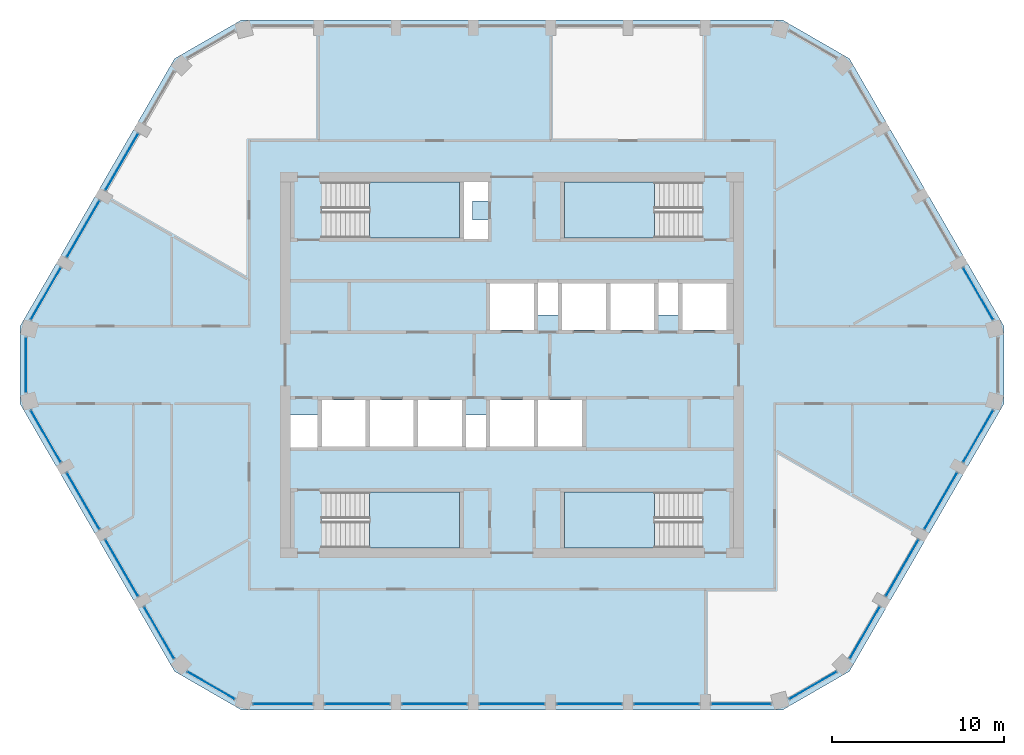
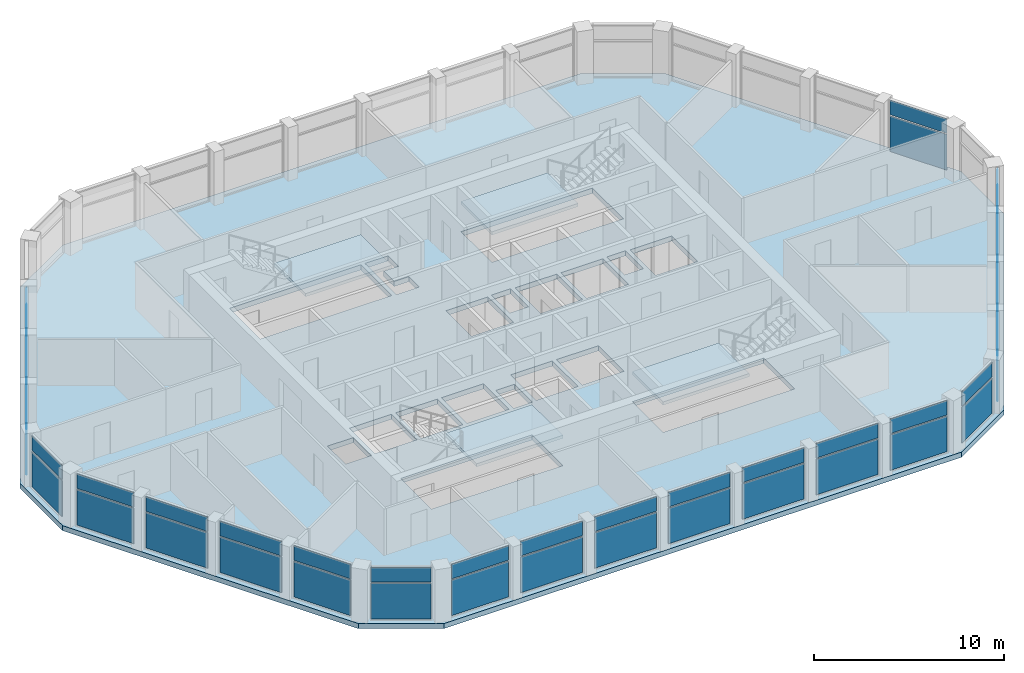
# One storey, part 7 of 15: 44 plates, 5 slabs, 26 elements without a shape of their own.
"""IFC4 building model written with IfcOpenShell, lengths in metres."""

from ifc_helpers import new_model, si_unit, direction, frame, origin, origin_2d, place, context, subcontext, project, spatial, polyline, rectangle, outline, extrude, material, layer, layer_set, type_object, element, aggregate, save


model = new_model("IFC4")

# Units and contexts
model_context = context("Model", 3, precision=1e-05, world=origin(), true_north=direction((0.0, 1.0)))
body_context = subcontext(model_context, "Body", "Model", "MODEL_VIEW")
ifc_project = project(units=[si_unit("LENGTHUNIT", "METRE"), si_unit("AREAUNIT", "SQUARE_METRE"), si_unit("VOLUMEUNIT", "CUBIC_METRE"), si_unit("PLANEANGLEUNIT", "RADIAN"), si_unit("MASSUNIT", "GRAM", prefix="KILO")], contexts=[model_context])

# Site, building, storey
site_placement = place(None, origin())
site = spatial("IfcSite", under=ifc_project, at=site_placement, CompositionType="ELEMENT")
building_placement = place(site_placement, origin())
building = spatial("IfcBuilding", under=site, at=building_placement, Name="Dhurran Vertical Campus", CompositionType="ELEMENT")
storey_placement = place(building_placement, frame((0.0, 0.0, 306.0)))
storey = spatial("IfcBuildingStorey", under=building, at=storey_placement, Name="L76", CompositionType="ELEMENT", Elevation=306.0)

# Slab
ifc_material_1 = material(Name="Concrete C40/50", Category="concrete")
ifc_layer_1 = layer(ifc_material_1, 0.324951171875)
ifc_layer_set_1 = layer_set([ifc_layer_1], Name="Concrete C40/50")
slab_type_1 = type_object("IfcSlabType", Name="FR POST-TENSIONED FLAT SLAB 325", PredefinedType="FLOOR", material=ifc_layer_set_1)
slab_1_placement = place(storey_placement, frame((0.0, 0.0, -0.324951171875)))
element("IfcSlab", 1, at=slab_1_placement, inside=storey, type_object=slab_type_1, Name="Floor slab L76", PredefinedType="FLOOR", context=body_context, shape_type="SweptSolid", body=[
    extrude(outline(polyline([(-15.75, -20.08837890625), (15.75, -20.08837890625), (19.647216796875, -17.83837890625), (28.647216796875, -2.25), (28.647216796875, 2.25), (19.647216796875, 17.83837890625), (15.75, 20.08837890625), (-15.75, 20.08837890625), (-19.647216796875, 17.83837890625), (-28.647216796875, 2.25), (-28.647216796875, -2.25), (-19.647216796875, -17.83837890625), (-15.75, -20.08837890625)]), holes=[polyline([(-1.27490234375, 2.050048828125), (1.27490234375, 2.050048828125), (1.27490234375, 4.75), (-1.27490234375, 4.75), (-1.27490234375, 2.050048828125)]), polyline([(9.925048828125, 2.050048828125), (12.47509765625, 2.050048828125), (12.47509765625, 4.75), (9.925048828125, 4.75), (9.925048828125, 2.050048828125)]), polyline([(-1.27490234375, -4.75), (1.27490234375, -4.75), (1.27490234375, -2.050048828125), (-1.27490234375, -2.050048828125), (-1.27490234375, -4.75)]), polyline([(1.52490234375, -4.75), (4.074951171875, -4.75), (4.074951171875, -2.050048828125), (1.52490234375, -2.050048828125), (1.52490234375, -4.75)]), polyline([(2.925048828125, 2.050048828125), (5.47509765625, 2.050048828125), (5.47509765625, 4.75), (2.925048828125, 4.75), (2.925048828125, 2.050048828125)]), polyline([(5.72509765625, 2.050048828125), (8.27490234375, 2.050048828125), (8.27490234375, 4.75), (5.72509765625, 4.75), (5.72509765625, 2.050048828125)]), polyline([(-11.074951171875, -4.75), (-8.52490234375, -4.75), (-8.52490234375, -2.050048828125), (-11.074951171875, -2.050048828125), (-11.074951171875, -4.75)]), polyline([(-8.27490234375, -4.75), (-5.72509765625, -4.75), (-5.72509765625, -2.050048828125), (-8.27490234375, -2.050048828125), (-8.27490234375, -4.75)]), polyline([(-5.47509765625, -4.75), (-2.925048828125, -4.75), (-2.925048828125, -2.050048828125), (-5.47509765625, -2.050048828125), (-5.47509765625, -4.75)]), polyline([(-11.050048828125, 7.39990234375), (-3.050048828125, 7.39990234375), (-3.050048828125, 10.64990234375), (-11.050048828125, 10.64990234375), (-11.050048828125, 7.39990234375)]), polyline([(3.050048828125, 7.39990234375), (11.050048828125, 7.39990234375), (11.050048828125, 10.64990234375), (3.050048828125, 10.64990234375), (3.050048828125, 7.39990234375)]), polyline([(-11.050048828125, -10.64990234375), (-3.050048828125, -10.64990234375), (-3.050048828125, -7.39990234375), (-11.050048828125, -7.39990234375), (-11.050048828125, -10.64990234375)]), polyline([(3.050048828125, -10.64990234375), (11.050048828125, -10.64990234375), (11.050048828125, -7.39990234375), (3.050048828125, -7.39990234375), (3.050048828125, -10.64990234375)]), polyline([(-2.800048828125, 10.64990234375), (-1.39990234375, 10.64990234375), (-1.39990234375, 9.550048828125), (-2.300048828125, 9.550048828125), (-2.300048828125, 8.449951171875), (-1.39990234375, 8.449951171875), (-1.39990234375, 7.35009765625), (-2.800048828125, 7.35009765625), (-2.800048828125, 10.64990234375)]), polyline([(2.675048828125, 2.89990234375), (1.52490234375, 2.89990234375), (1.52490234375, 4.800048828125), (2.675048828125, 4.800048828125), (2.675048828125, 2.89990234375)]), polyline([(-12.89990234375, -2.89990234375), (-11.324951171875, -2.89990234375), (-11.324951171875, -4.800048828125), (-12.89990234375, -4.800048828125), (-12.89990234375, -2.89990234375)]), polyline([(-2.675048828125, -2.89990234375), (-1.52490234375, -2.89990234375), (-1.52490234375, -4.800048828125), (-2.675048828125, -4.800048828125), (-2.675048828125, -2.89990234375)]), polyline([(9.675048828125, 2.89990234375), (8.52490234375, 2.89990234375), (8.52490234375, 4.800048828125), (9.675048828125, 4.800048828125), (9.675048828125, 2.89990234375)])]), origin(), (0.0, 0.0, 1.0), 0.324951171875),
])

# Curtain wall, plates
ifc_material_2 = material(Name="Aluminium frame with solar-control glass", Category="aluminium")
ifc_layer_2 = layer(ifc_material_2, 0.219970703125)
ifc_layer_set_2 = layer_set([ifc_layer_2], Name="Aluminium frame with solar-control glass")
curtain_wall_type = type_object("IfcCurtainWallType", Name="Student lounge glazing system", PredefinedType="NOTDEFINED", material=ifc_layer_set_2)
curtain_wall_1_placement = place(storey_placement, origin())
curtain_wall_1 = element("IfcCurtainWall", 2, at=curtain_wall_1_placement, inside=storey, type_object=curtain_wall_type, Name="CW5 L76.00", PredefinedType="NOTDEFINED")
ifc_material_3 = material(Name="Clear solar-control glass", Category="glass")
ifc_layer_3 = layer(ifc_material_3, 0.028076171875)
ifc_layer_set_3 = layer_set([ifc_layer_3], Name="Clear solar-control glass")
plate_type = type_object("IfcPlateType", Name="Student lounge glazing system panel", PredefinedType="CURTAIN_PANEL", material=ifc_layer_set_3)
plate_1_placement = place(storey_placement, frame((-13.35009765625, -19.738525390625, 0.070068359375), z_axis=(0.0, 0.0, 1.0), x_axis=(1.0, 0.0, 0.0)))
plate_1 = element("IfcPlate", 3, at=plate_1_placement, type_object=plate_type, Name="CW5 panel 1.1", PredefinedType="CURTAIN_PANEL", context=body_context, shape_type="SweptSolid", body=[
    extrude(rectangle(XDim=3.45947265625, YDim=0.028076171875, at=origin_2d()), origin(), (0.0, 0.0, 1.0), 2.294921875),
])
plate_2_placement = place(storey_placement, frame((-13.35009765625, -19.738525390625, 2.43505859375), z_axis=(0.0, 0.0, 1.0), x_axis=(1.0, 0.0, 0.0)))
plate_2 = element("IfcPlate", 4, at=plate_2_placement, type_object=plate_type, Name="CW5 panel 1.2", PredefinedType="CURTAIN_PANEL", context=body_context, shape_type="SweptSolid", body=[
    extrude(rectangle(XDim=3.45947265625, YDim=0.028076171875, at=origin_2d()), origin(), (0.0, 0.0, 1.0), 0.945068359375),
])
aggregate(curtain_wall_1, [plate_1, plate_2])

curtain_wall_2_placement = place(storey_placement, origin())
curtain_wall_2 = element("IfcCurtainWall", 5, at=curtain_wall_2_placement, inside=storey, type_object=curtain_wall_type, Name="CW5 L76.01", PredefinedType="NOTDEFINED")
plate_3_placement = place(storey_placement, frame((-9.0, -19.738525390625, 0.070068359375), z_axis=(0.0, 0.0, 1.0), x_axis=(1.0, 0.0, 0.0)))
plate_3 = element("IfcPlate", 6, at=plate_3_placement, type_object=plate_type, Name="CW5 panel 1.1", PredefinedType="CURTAIN_PANEL", context=body_context, shape_type="SweptSolid", body=[
    extrude(rectangle(XDim=3.759033203125, YDim=0.028076171875, at=origin_2d()), origin(), (0.0, 0.0, 1.0), 2.294921875),
])
plate_4_placement = place(storey_placement, frame((-9.0, -19.738525390625, 2.43505859375), z_axis=(0.0, 0.0, 1.0), x_axis=(1.0, 0.0, 0.0)))
plate_4 = element("IfcPlate", 7, at=plate_4_placement, type_object=plate_type, Name="CW5 panel 1.2", PredefinedType="CURTAIN_PANEL", context=body_context, shape_type="SweptSolid", body=[
    extrude(rectangle(XDim=3.759033203125, YDim=0.028076171875, at=origin_2d()), origin(), (0.0, 0.0, 1.0), 0.945068359375),
])
aggregate(curtain_wall_2, [plate_3, plate_4])

curtain_wall_3_placement = place(storey_placement, origin())
curtain_wall_3 = element("IfcCurtainWall", 8, at=curtain_wall_3_placement, inside=storey, type_object=curtain_wall_type, Name="CW5 L76.02", PredefinedType="NOTDEFINED")
plate_5_placement = place(storey_placement, frame((-4.5, -19.738525390625, 0.070068359375), z_axis=(0.0, 0.0, 1.0), x_axis=(1.0, 0.0, 0.0)))
plate_5 = element("IfcPlate", 9, at=plate_5_placement, type_object=plate_type, Name="CW5 panel 1.1", PredefinedType="CURTAIN_PANEL", context=body_context, shape_type="SweptSolid", body=[
    extrude(rectangle(XDim=3.759033203125, YDim=0.028076171875, at=origin_2d()), origin(), (0.0, 0.0, 1.0), 2.294921875),
])
plate_6_placement = place(storey_placement, frame((-4.5, -19.738525390625, 2.43505859375), z_axis=(0.0, 0.0, 1.0), x_axis=(1.0, 0.0, 0.0)))
plate_6 = element("IfcPlate", 10, at=plate_6_placement, type_object=plate_type, Name="CW5 panel 1.2", PredefinedType="CURTAIN_PANEL", context=body_context, shape_type="SweptSolid", body=[
    extrude(rectangle(XDim=3.759033203125, YDim=0.028076171875, at=origin_2d()), origin(), (0.0, 0.0, 1.0), 0.945068359375),
])
aggregate(curtain_wall_3, [plate_5, plate_6])

curtain_wall_4_placement = place(storey_placement, origin())
curtain_wall_4 = element("IfcCurtainWall", 11, at=curtain_wall_4_placement, inside=storey, type_object=curtain_wall_type, Name="CW5 L76.03", PredefinedType="NOTDEFINED")
plate_7_placement = place(storey_placement, frame((0.0, -19.738525390625, 0.070068359375), z_axis=(0.0, 0.0, 1.0), x_axis=(1.0, 0.0, 0.0)))
plate_7 = element("IfcPlate", 12, at=plate_7_placement, type_object=plate_type, Name="CW5 panel 1.1", PredefinedType="CURTAIN_PANEL", context=body_context, shape_type="SweptSolid", body=[
    extrude(rectangle(XDim=3.759033203125, YDim=0.028076171875, at=origin_2d()), origin(), (0.0, 0.0, 1.0), 2.294921875),
])
plate_8_placement = place(storey_placement, frame((0.0, -19.738525390625, 2.43505859375), z_axis=(0.0, 0.0, 1.0), x_axis=(1.0, 0.0, 0.0)))
plate_8 = element("IfcPlate", 13, at=plate_8_placement, type_object=plate_type, Name="CW5 panel 1.2", PredefinedType="CURTAIN_PANEL", context=body_context, shape_type="SweptSolid", body=[
    extrude(rectangle(XDim=3.759033203125, YDim=0.028076171875, at=origin_2d()), origin(), (0.0, 0.0, 1.0), 0.945068359375),
])
aggregate(curtain_wall_4, [plate_7, plate_8])

curtain_wall_5_placement = place(storey_placement, origin())
curtain_wall_5 = element("IfcCurtainWall", 14, at=curtain_wall_5_placement, inside=storey, type_object=curtain_wall_type, Name="CW5 L76.04", PredefinedType="NOTDEFINED")
plate_9_placement = place(storey_placement, frame((4.5, -19.738525390625, 0.070068359375), z_axis=(0.0, 0.0, 1.0), x_axis=(1.0, 0.0, 0.0)))
plate_9 = element("IfcPlate", 15, at=plate_9_placement, type_object=plate_type, Name="CW5 panel 1.1", PredefinedType="CURTAIN_PANEL", context=body_context, shape_type="SweptSolid", body=[
    extrude(rectangle(XDim=3.759033203125, YDim=0.028076171875, at=origin_2d()), origin(), (0.0, 0.0, 1.0), 2.294921875),
])
plate_10_placement = place(storey_placement, frame((4.5, -19.738525390625, 2.43505859375), z_axis=(0.0, 0.0, 1.0), x_axis=(1.0, 0.0, 0.0)))
plate_10 = element("IfcPlate", 16, at=plate_10_placement, type_object=plate_type, Name="CW5 panel 1.2", PredefinedType="CURTAIN_PANEL", context=body_context, shape_type="SweptSolid", body=[
    extrude(rectangle(XDim=3.759033203125, YDim=0.028076171875, at=origin_2d()), origin(), (0.0, 0.0, 1.0), 0.945068359375),
])
aggregate(curtain_wall_5, [plate_9, plate_10])

curtain_wall_6_placement = place(storey_placement, origin())
curtain_wall_6 = element("IfcCurtainWall", 17, at=curtain_wall_6_placement, inside=storey, type_object=curtain_wall_type, Name="CW5 L76.05", PredefinedType="NOTDEFINED")
plate_11_placement = place(storey_placement, frame((9.0, -19.738525390625, 0.070068359375), z_axis=(0.0, 0.0, 1.0), x_axis=(1.0, 0.0, 0.0)))
plate_11 = element("IfcPlate", 18, at=plate_11_placement, type_object=plate_type, Name="CW5 panel 1.1", PredefinedType="CURTAIN_PANEL", context=body_context, shape_type="SweptSolid", body=[
    extrude(rectangle(XDim=3.759033203125, YDim=0.028076171875, at=origin_2d()), origin(), (0.0, 0.0, 1.0), 2.294921875),
])
plate_12_placement = place(storey_placement, frame((9.0, -19.738525390625, 2.43505859375), z_axis=(0.0, 0.0, 1.0), x_axis=(1.0, 0.0, 0.0)))
plate_12 = element("IfcPlate", 19, at=plate_12_placement, type_object=plate_type, Name="CW5 panel 1.2", PredefinedType="CURTAIN_PANEL", context=body_context, shape_type="SweptSolid", body=[
    extrude(rectangle(XDim=3.759033203125, YDim=0.028076171875, at=origin_2d()), origin(), (0.0, 0.0, 1.0), 0.945068359375),
])
aggregate(curtain_wall_6, [plate_11, plate_12])

curtain_wall_7_placement = place(storey_placement, origin())
curtain_wall_7 = element("IfcCurtainWall", 20, at=curtain_wall_7_placement, inside=storey, type_object=curtain_wall_type, Name="CW5 L76.06", PredefinedType="NOTDEFINED")
plate_13_placement = place(storey_placement, frame((13.35009765625, -19.738525390625, 0.070068359375), z_axis=(0.0, 0.0, 1.0), x_axis=(1.0, 0.0, 0.0)))
plate_13 = element("IfcPlate", 21, at=plate_13_placement, type_object=plate_type, Name="CW5 panel 1.1", PredefinedType="CURTAIN_PANEL", context=body_context, shape_type="SweptSolid", body=[
    extrude(rectangle(XDim=3.45947265625, YDim=0.028076171875, at=origin_2d()), origin(), (0.0, 0.0, 1.0), 2.294921875),
])
plate_14_placement = place(storey_placement, frame((13.35009765625, -19.738525390625, 2.43505859375), z_axis=(0.0, 0.0, 1.0), x_axis=(1.0, 0.0, 0.0)))
plate_14 = element("IfcPlate", 22, at=plate_14_placement, type_object=plate_type, Name="CW5 panel 1.2", PredefinedType="CURTAIN_PANEL", context=body_context, shape_type="SweptSolid", body=[
    extrude(rectangle(XDim=3.45947265625, YDim=0.028076171875, at=origin_2d()), origin(), (0.0, 0.0, 1.0), 0.945068359375),
])
aggregate(curtain_wall_7, [plate_13, plate_14])

curtain_wall_8_placement = place(storey_placement, origin())
curtain_wall_8 = element("IfcCurtainWall", 23, at=curtain_wall_8_placement, inside=storey, type_object=curtain_wall_type, Name="CW5 L76.07", PredefinedType="NOTDEFINED")
plate_15_placement = place(storey_placement, frame((17.5234375, -18.660400390625, 0.070068359375), z_axis=(0.0, 0.0, 1.0), x_axis=(0.866024598628, 0.500001394569, 0.0)))
plate_15 = element("IfcPlate", 24, at=plate_15_placement, type_object=plate_type, Name="CW5 panel 1.1", PredefinedType="CURTAIN_PANEL", context=body_context, shape_type="SweptSolid", body=[
    extrude(rectangle(XDim=3.159912109375, YDim=0.028076171875, at=origin_2d()), origin(), (0.0, 0.0, 1.0), 2.294921875),
])
plate_16_placement = place(storey_placement, frame((17.5234375, -18.660400390625, 2.43505859375), z_axis=(0.0, 0.0, 1.0), x_axis=(0.866024598628, 0.500001394569, 0.0)))
plate_16 = element("IfcPlate", 25, at=plate_16_placement, type_object=plate_type, Name="CW5 panel 1.2", PredefinedType="CURTAIN_PANEL", context=body_context, shape_type="SweptSolid", body=[
    extrude(rectangle(XDim=3.159912109375, YDim=0.028076171875, at=origin_2d()), origin(), (0.0, 0.0, 1.0), 0.945068359375),
])
aggregate(curtain_wall_8, [plate_15, plate_16])

curtain_wall_9_placement = place(storey_placement, origin())
curtain_wall_9 = element("IfcCurtainWall", 26, at=curtain_wall_9_placement, inside=storey, type_object=curtain_wall_type, Name="CW5 L76.08", PredefinedType="NOTDEFINED")
plate_17_placement = place(storey_placement, frame((20.5439453125, -15.585205078125, 0.070068359375), z_axis=(0.0, 0.0, 1.0), x_axis=(0.499996612136, 0.86602735976, 0.0)))
plate_17 = element("IfcPlate", 27, at=plate_17_placement, type_object=plate_type, Name="CW5 panel 1.1", PredefinedType="CURTAIN_PANEL", context=body_context, shape_type="SweptSolid", body=[
    extrude(rectangle(XDim=3.45947265625, YDim=0.028076171875, at=origin_2d()), origin(), (0.0, 0.0, 1.0), 2.294921875),
])
plate_18_placement = place(storey_placement, frame((20.5439453125, -15.585205078125, 2.43505859375), z_axis=(0.0, 0.0, 1.0), x_axis=(0.499996612136, 0.86602735976, 0.0)))
plate_18 = element("IfcPlate", 28, at=plate_18_placement, type_object=plate_type, Name="CW5 panel 1.2", PredefinedType="CURTAIN_PANEL", context=body_context, shape_type="SweptSolid", body=[
    extrude(rectangle(XDim=3.45947265625, YDim=0.028076171875, at=origin_2d()), origin(), (0.0, 0.0, 1.0), 0.945068359375),
])
aggregate(curtain_wall_9, [plate_17, plate_18])

curtain_wall_10_placement = place(storey_placement, origin())
curtain_wall_10 = element("IfcCurtainWall", 29, at=curtain_wall_10_placement, inside=storey, type_object=curtain_wall_type, Name="CW5 L76.09", PredefinedType="NOTDEFINED")
plate_19_placement = place(storey_placement, frame((22.718994140625, -11.81787109375, 0.070068359375), z_axis=(0.0, 0.0, 1.0), x_axis=(0.5000036704, 0.866023284668, 0.0)))
plate_19 = element("IfcPlate", 30, at=plate_19_placement, type_object=plate_type, Name="CW5 panel 1.1", PredefinedType="CURTAIN_PANEL", context=body_context, shape_type="SweptSolid", body=[
    extrude(rectangle(XDim=3.759033203125, YDim=0.028076171875, at=origin_2d()), origin(), (0.0, 0.0, 1.0), 2.294921875),
])
plate_20_placement = place(storey_placement, frame((22.718994140625, -11.81787109375, 2.43505859375), z_axis=(0.0, 0.0, 1.0), x_axis=(0.5000036704, 0.866023284668, 0.0)))
plate_20 = element("IfcPlate", 31, at=plate_20_placement, type_object=plate_type, Name="CW5 panel 1.2", PredefinedType="CURTAIN_PANEL", context=body_context, shape_type="SweptSolid", body=[
    extrude(rectangle(XDim=3.759033203125, YDim=0.028076171875, at=origin_2d()), origin(), (0.0, 0.0, 1.0), 0.945068359375),
])
aggregate(curtain_wall_10, [plate_19, plate_20])

curtain_wall_11_placement = place(storey_placement, origin())
curtain_wall_11 = element("IfcCurtainWall", 32, at=curtain_wall_11_placement, inside=storey, type_object=curtain_wall_type, Name="CW5 L76.10", PredefinedType="NOTDEFINED")
plate_21_placement = place(storey_placement, frame((24.968994140625, -7.920654296875, 0.070068359375), z_axis=(0.0, 0.0, 1.0), x_axis=(0.5000036704, 0.866023284668, 0.0)))
plate_21 = element("IfcPlate", 33, at=plate_21_placement, type_object=plate_type, Name="CW5 panel 1.1", PredefinedType="CURTAIN_PANEL", context=body_context, shape_type="SweptSolid", body=[
    extrude(rectangle(XDim=3.759033203125, YDim=0.028076171875, at=origin_2d()), origin(), (0.0, 0.0, 1.0), 2.294921875),
])
plate_22_placement = place(storey_placement, frame((24.968994140625, -7.920654296875, 2.43505859375), z_axis=(0.0, 0.0, 1.0), x_axis=(0.5000036704, 0.866023284668, 0.0)))
plate_22 = element("IfcPlate", 34, at=plate_22_placement, type_object=plate_type, Name="CW5 panel 1.2", PredefinedType="CURTAIN_PANEL", context=body_context, shape_type="SweptSolid", body=[
    extrude(rectangle(XDim=3.759033203125, YDim=0.028076171875, at=origin_2d()), origin(), (0.0, 0.0, 1.0), 0.945068359375),
])
aggregate(curtain_wall_11, [plate_21, plate_22])

curtain_wall_12_placement = place(storey_placement, origin())
curtain_wall_12 = element("IfcCurtainWall", 35, at=curtain_wall_12_placement, inside=storey, type_object=curtain_wall_type, Name="CW5 L76.11", PredefinedType="NOTDEFINED")
plate_23_placement = place(storey_placement, frame((27.14404296875, -4.1533203125, 0.070068359375), z_axis=(0.0, 0.0, 1.0), x_axis=(0.499996612136, 0.86602735976, 0.0)))
plate_23 = element("IfcPlate", 36, at=plate_23_placement, type_object=plate_type, Name="CW5 panel 1.1", PredefinedType="CURTAIN_PANEL", context=body_context, shape_type="SweptSolid", body=[
    extrude(rectangle(XDim=3.45947265625, YDim=0.028076171875, at=origin_2d()), origin(), (0.0, 0.0, 1.0), 2.294921875),
])
plate_24_placement = place(storey_placement, frame((27.14404296875, -4.1533203125, 2.43505859375), z_axis=(0.0, 0.0, 1.0), x_axis=(0.499996612136, 0.86602735976, 0.0)))
plate_24 = element("IfcPlate", 37, at=plate_24_placement, type_object=plate_type, Name="CW5 panel 1.2", PredefinedType="CURTAIN_PANEL", context=body_context, shape_type="SweptSolid", body=[
    extrude(rectangle(XDim=3.45947265625, YDim=0.028076171875, at=origin_2d()), origin(), (0.0, 0.0, 1.0), 0.945068359375),
])
aggregate(curtain_wall_12, [plate_23, plate_24])

curtain_wall_13_placement = place(storey_placement, origin())
curtain_wall_13 = element("IfcCurtainWall", 38, at=curtain_wall_13_placement, inside=storey, type_object=curtain_wall_type, Name="CW5 L76.13", PredefinedType="NOTDEFINED")
plate_25_placement = place(storey_placement, frame((27.14404296875, 4.1533203125, 0.070068359375), z_axis=(0.0, 0.0, 1.0), x_axis=(-0.499996612136, 0.86602735976, 0.0)))
plate_25 = element("IfcPlate", 39, at=plate_25_placement, type_object=plate_type, Name="CW5 panel 1.1", PredefinedType="CURTAIN_PANEL", context=body_context, shape_type="SweptSolid", body=[
    extrude(rectangle(XDim=3.45947265625, YDim=0.028076171875, at=origin_2d()), origin(), (0.0, 0.0, 1.0), 2.294921875),
])
plate_26_placement = place(storey_placement, frame((27.14404296875, 4.1533203125, 2.43505859375), z_axis=(0.0, 0.0, 1.0), x_axis=(-0.499996612136, 0.86602735976, 0.0)))
plate_26 = element("IfcPlate", 40, at=plate_26_placement, type_object=plate_type, Name="CW5 panel 1.2", PredefinedType="CURTAIN_PANEL", context=body_context, shape_type="SweptSolid", body=[
    extrude(rectangle(XDim=3.45947265625, YDim=0.028076171875, at=origin_2d()), origin(), (0.0, 0.0, 1.0), 0.945068359375),
])
aggregate(curtain_wall_13, [plate_25, plate_26])

curtain_wall_14_placement = place(storey_placement, origin())
curtain_wall_14 = element("IfcCurtainWall", 41, at=curtain_wall_14_placement, inside=storey, type_object=curtain_wall_type, Name="CW5 L76.27", PredefinedType="NOTDEFINED")
plate_27_placement = place(storey_placement, frame((-22.718994140625, 11.81787109375, 0.070068359375), z_axis=(0.0, 0.0, 1.0), x_axis=(-0.5000036704, -0.866023284668, 0.0)))
plate_27 = element("IfcPlate", 42, at=plate_27_placement, type_object=plate_type, Name="CW5 panel 1.1", PredefinedType="CURTAIN_PANEL", context=body_context, shape_type="SweptSolid", body=[
    extrude(rectangle(XDim=3.759033203125, YDim=0.028076171875, at=origin_2d()), origin(), (0.0, 0.0, 1.0), 2.294921875),
])
plate_28_placement = place(storey_placement, frame((-22.718994140625, 11.81787109375, 2.43505859375), z_axis=(0.0, 0.0, 1.0), x_axis=(-0.5000036704, -0.866023284668, 0.0)))
plate_28 = element("IfcPlate", 43, at=plate_28_placement, type_object=plate_type, Name="CW5 panel 1.2", PredefinedType="CURTAIN_PANEL", context=body_context, shape_type="SweptSolid", body=[
    extrude(rectangle(XDim=3.759033203125, YDim=0.028076171875, at=origin_2d()), origin(), (0.0, 0.0, 1.0), 0.945068359375),
])
aggregate(curtain_wall_14, [plate_27, plate_28])

curtain_wall_15_placement = place(storey_placement, origin())
curtain_wall_15 = element("IfcCurtainWall", 44, at=curtain_wall_15_placement, inside=storey, type_object=curtain_wall_type, Name="CW5 L76.28", PredefinedType="NOTDEFINED")
plate_29_placement = place(storey_placement, frame((-24.968994140625, 7.920654296875, 0.070068359375), z_axis=(0.0, 0.0, 1.0), x_axis=(-0.5000036704, -0.866023284668, 0.0)))
plate_29 = element("IfcPlate", 45, at=plate_29_placement, type_object=plate_type, Name="CW5 panel 1.1", PredefinedType="CURTAIN_PANEL", context=body_context, shape_type="SweptSolid", body=[
    extrude(rectangle(XDim=3.759033203125, YDim=0.028076171875, at=origin_2d()), origin(), (0.0, 0.0, 1.0), 2.294921875),
])
plate_30_placement = place(storey_placement, frame((-24.968994140625, 7.920654296875, 2.43505859375), z_axis=(0.0, 0.0, 1.0), x_axis=(-0.5000036704, -0.866023284668, 0.0)))
plate_30 = element("IfcPlate", 46, at=plate_30_placement, type_object=plate_type, Name="CW5 panel 1.2", PredefinedType="CURTAIN_PANEL", context=body_context, shape_type="SweptSolid", body=[
    extrude(rectangle(XDim=3.759033203125, YDim=0.028076171875, at=origin_2d()), origin(), (0.0, 0.0, 1.0), 0.945068359375),
])
aggregate(curtain_wall_15, [plate_29, plate_30])

curtain_wall_16_placement = place(storey_placement, origin())
curtain_wall_16 = element("IfcCurtainWall", 47, at=curtain_wall_16_placement, inside=storey, type_object=curtain_wall_type, Name="CW5 L76.29", PredefinedType="NOTDEFINED")
plate_31_placement = place(storey_placement, frame((-27.14404296875, 4.1533203125, 0.070068359375), z_axis=(0.0, 0.0, 1.0), x_axis=(-0.499996612136, -0.86602735976, 0.0)))
plate_31 = element("IfcPlate", 48, at=plate_31_placement, type_object=plate_type, Name="CW5 panel 1.1", PredefinedType="CURTAIN_PANEL", context=body_context, shape_type="SweptSolid", body=[
    extrude(rectangle(XDim=3.45947265625, YDim=0.028076171875, at=origin_2d()), origin(), (0.0, 0.0, 1.0), 2.294921875),
])
plate_32_placement = place(storey_placement, frame((-27.14404296875, 4.1533203125, 2.43505859375), z_axis=(0.0, 0.0, 1.0), x_axis=(-0.499996612136, -0.86602735976, 0.0)))
plate_32 = element("IfcPlate", 49, at=plate_32_placement, type_object=plate_type, Name="CW5 panel 1.2", PredefinedType="CURTAIN_PANEL", context=body_context, shape_type="SweptSolid", body=[
    extrude(rectangle(XDim=3.45947265625, YDim=0.028076171875, at=origin_2d()), origin(), (0.0, 0.0, 1.0), 0.945068359375),
])
aggregate(curtain_wall_16, [plate_31, plate_32])

curtain_wall_17_placement = place(storey_placement, origin())
curtain_wall_17 = element("IfcCurtainWall", 50, at=curtain_wall_17_placement, inside=storey, type_object=curtain_wall_type, Name="CW5 L76.30", PredefinedType="NOTDEFINED")
plate_33_placement = place(storey_placement, frame((-28.297119140625, 0.0, 0.070068359375), z_axis=(0.0, 0.0, 1.0), x_axis=(0.0, -1.0, 0.0)))
plate_33 = element("IfcPlate", 51, at=plate_33_placement, type_object=plate_type, Name="CW5 panel 1.1", PredefinedType="CURTAIN_PANEL", context=body_context, shape_type="SweptSolid", body=[
    extrude(rectangle(XDim=3.159912109375, YDim=0.028076171875, at=origin_2d()), origin(), (0.0, 0.0, 1.0), 2.294921875),
])
plate_34_placement = place(storey_placement, frame((-28.297119140625, 0.0, 2.43505859375), z_axis=(0.0, 0.0, 1.0), x_axis=(0.0, -1.0, 0.0)))
plate_34 = element("IfcPlate", 52, at=plate_34_placement, type_object=plate_type, Name="CW5 panel 1.2", PredefinedType="CURTAIN_PANEL", context=body_context, shape_type="SweptSolid", body=[
    extrude(rectangle(XDim=3.159912109375, YDim=0.028076171875, at=origin_2d()), origin(), (0.0, 0.0, 1.0), 0.945068359375),
])
aggregate(curtain_wall_17, [plate_33, plate_34])

curtain_wall_18_placement = place(storey_placement, origin())
curtain_wall_18 = element("IfcCurtainWall", 53, at=curtain_wall_18_placement, inside=storey, type_object=curtain_wall_type, Name="CW5 L76.31", PredefinedType="NOTDEFINED")
plate_35_placement = place(storey_placement, frame((-27.14404296875, -4.1533203125, 0.070068359375), z_axis=(0.0, 0.0, 1.0), x_axis=(0.499996612136, -0.86602735976, 0.0)))
plate_35 = element("IfcPlate", 54, at=plate_35_placement, type_object=plate_type, Name="CW5 panel 1.1", PredefinedType="CURTAIN_PANEL", context=body_context, shape_type="SweptSolid", body=[
    extrude(rectangle(XDim=3.45947265625, YDim=0.028076171875, at=origin_2d()), origin(), (0.0, 0.0, 1.0), 2.294921875),
])
plate_36_placement = place(storey_placement, frame((-27.14404296875, -4.1533203125, 2.43505859375), z_axis=(0.0, 0.0, 1.0), x_axis=(0.499996612136, -0.86602735976, 0.0)))
plate_36 = element("IfcPlate", 55, at=plate_36_placement, type_object=plate_type, Name="CW5 panel 1.2", PredefinedType="CURTAIN_PANEL", context=body_context, shape_type="SweptSolid", body=[
    extrude(rectangle(XDim=3.45947265625, YDim=0.028076171875, at=origin_2d()), origin(), (0.0, 0.0, 1.0), 0.945068359375),
])
aggregate(curtain_wall_18, [plate_35, plate_36])

curtain_wall_19_placement = place(storey_placement, origin())
curtain_wall_19 = element("IfcCurtainWall", 56, at=curtain_wall_19_placement, inside=storey, type_object=curtain_wall_type, Name="CW5 L76.32", PredefinedType="NOTDEFINED")
plate_37_placement = place(storey_placement, frame((-24.968994140625, -7.920654296875, 0.070068359375), z_axis=(0.0, 0.0, 1.0), x_axis=(0.5000036704, -0.866023284668, 0.0)))
plate_37 = element("IfcPlate", 57, at=plate_37_placement, type_object=plate_type, Name="CW5 panel 1.1", PredefinedType="CURTAIN_PANEL", context=body_context, shape_type="SweptSolid", body=[
    extrude(rectangle(XDim=3.759033203125, YDim=0.028076171875, at=origin_2d()), origin(), (0.0, 0.0, 1.0), 2.294921875),
])
plate_38_placement = place(storey_placement, frame((-24.968994140625, -7.920654296875, 2.43505859375), z_axis=(0.0, 0.0, 1.0), x_axis=(0.5000036704, -0.866023284668, 0.0)))
plate_38 = element("IfcPlate", 58, at=plate_38_placement, type_object=plate_type, Name="CW5 panel 1.2", PredefinedType="CURTAIN_PANEL", context=body_context, shape_type="SweptSolid", body=[
    extrude(rectangle(XDim=3.759033203125, YDim=0.028076171875, at=origin_2d()), origin(), (0.0, 0.0, 1.0), 0.945068359375),
])
aggregate(curtain_wall_19, [plate_37, plate_38])

curtain_wall_20_placement = place(storey_placement, origin())
curtain_wall_20 = element("IfcCurtainWall", 59, at=curtain_wall_20_placement, inside=storey, type_object=curtain_wall_type, Name="CW5 L76.33", PredefinedType="NOTDEFINED")
plate_39_placement = place(storey_placement, frame((-22.718994140625, -11.81787109375, 0.070068359375), z_axis=(0.0, 0.0, 1.0), x_axis=(0.5000036704, -0.866023284668, 0.0)))
plate_39 = element("IfcPlate", 60, at=plate_39_placement, type_object=plate_type, Name="CW5 panel 1.1", PredefinedType="CURTAIN_PANEL", context=body_context, shape_type="SweptSolid", body=[
    extrude(rectangle(XDim=3.759033203125, YDim=0.028076171875, at=origin_2d()), origin(), (0.0, 0.0, 1.0), 2.294921875),
])
plate_40_placement = place(storey_placement, frame((-22.718994140625, -11.81787109375, 2.43505859375), z_axis=(0.0, 0.0, 1.0), x_axis=(0.5000036704, -0.866023284668, 0.0)))
plate_40 = element("IfcPlate", 61, at=plate_40_placement, type_object=plate_type, Name="CW5 panel 1.2", PredefinedType="CURTAIN_PANEL", context=body_context, shape_type="SweptSolid", body=[
    extrude(rectangle(XDim=3.759033203125, YDim=0.028076171875, at=origin_2d()), origin(), (0.0, 0.0, 1.0), 0.945068359375),
])
aggregate(curtain_wall_20, [plate_39, plate_40])

curtain_wall_21_placement = place(storey_placement, origin())
curtain_wall_21 = element("IfcCurtainWall", 62, at=curtain_wall_21_placement, inside=storey, type_object=curtain_wall_type, Name="CW5 L76.34", PredefinedType="NOTDEFINED")
plate_41_placement = place(storey_placement, frame((-20.5439453125, -15.585205078125, 0.070068359375), z_axis=(0.0, 0.0, 1.0), x_axis=(0.499996612136, -0.86602735976, 0.0)))
plate_41 = element("IfcPlate", 63, at=plate_41_placement, type_object=plate_type, Name="CW5 panel 1.1", PredefinedType="CURTAIN_PANEL", context=body_context, shape_type="SweptSolid", body=[
    extrude(rectangle(XDim=3.45947265625, YDim=0.028076171875, at=origin_2d()), origin(), (0.0, 0.0, 1.0), 2.294921875),
])
plate_42_placement = place(storey_placement, frame((-20.5439453125, -15.585205078125, 2.43505859375), z_axis=(0.0, 0.0, 1.0), x_axis=(0.499996612136, -0.86602735976, 0.0)))
plate_42 = element("IfcPlate", 64, at=plate_42_placement, type_object=plate_type, Name="CW5 panel 1.2", PredefinedType="CURTAIN_PANEL", context=body_context, shape_type="SweptSolid", body=[
    extrude(rectangle(XDim=3.45947265625, YDim=0.028076171875, at=origin_2d()), origin(), (0.0, 0.0, 1.0), 0.945068359375),
])
aggregate(curtain_wall_21, [plate_41, plate_42])

curtain_wall_22_placement = place(storey_placement, origin())
curtain_wall_22 = element("IfcCurtainWall", 65, at=curtain_wall_22_placement, inside=storey, type_object=curtain_wall_type, Name="CW5 L76.35", PredefinedType="NOTDEFINED")
plate_43_placement = place(storey_placement, frame((-17.5234375, -18.660400390625, 0.070068359375), z_axis=(0.0, 0.0, 1.0), x_axis=(0.866024598628, -0.500001394569, 0.0)))
plate_43 = element("IfcPlate", 66, at=plate_43_placement, type_object=plate_type, Name="CW5 panel 1.1", PredefinedType="CURTAIN_PANEL", context=body_context, shape_type="SweptSolid", body=[
    extrude(rectangle(XDim=3.159912109375, YDim=0.028076171875, at=origin_2d()), origin(), (0.0, 0.0, 1.0), 2.294921875),
])
plate_44_placement = place(storey_placement, frame((-17.5234375, -18.660400390625, 2.43505859375), z_axis=(0.0, 0.0, 1.0), x_axis=(0.866024598628, -0.500001394569, 0.0)))
plate_44 = element("IfcPlate", 67, at=plate_44_placement, type_object=plate_type, Name="CW5 panel 1.2", PredefinedType="CURTAIN_PANEL", context=body_context, shape_type="SweptSolid", body=[
    extrude(rectangle(XDim=3.159912109375, YDim=0.028076171875, at=origin_2d()), origin(), (0.0, 0.0, 1.0), 0.945068359375),
])
aggregate(curtain_wall_22, [plate_43, plate_44])

# Stair, slab
ifc_material_4 = material(Name="Concrete C40/50", Category="concrete")
stair_type = type_object("IfcStairType", Name="co-ST-CORE", PredefinedType="HALF_TURN_STAIR", material=ifc_material_4)
stair_1_placement = place(storey_placement, origin())
stair_1 = element("IfcStair", 68, at=stair_1_placement, inside=storey, type_object=stair_type, Name="L76 Protected exit stair ST1", PredefinedType="HALF_TURN_STAIR")
ifc_material_5 = material(Name="Concrete C40/50", Category="concrete")
ifc_layer_4 = layer(ifc_material_5, 0.199951171875)
ifc_layer_set_4 = layer_set([ifc_layer_4], Name="Concrete C40/50")
slab_type_2 = type_object("IfcSlabType", Name="co-SL-LANDING", PredefinedType="LANDING", material=ifc_layer_set_4)
slab_2_placement = place(storey_placement, frame((0.0, 0.0, 1.75)))
slab_2 = element("IfcSlab", 69, at=slab_2_placement, type_object=slab_type_2, Name="ST1 landing 1", PredefinedType="LANDING", context=body_context, shape_type="SweptSolid", body=[
    extrude(outline(polyline([(-8.300048828125, 7.39990234375), (-3.050048828125, 7.39990234375), (-3.050048828125, 10.64990234375), (-8.300048828125, 10.64990234375), (-8.300048828125, 7.39990234375)])), origin(), (0.0, 0.0, 1.0), 0.199951171875),
])
aggregate(stair_1, [slab_2])

stair_2_placement = place(storey_placement, origin())
stair_2 = element("IfcStair", 70, at=stair_2_placement, inside=storey, type_object=stair_type, Name="L76 Protected exit stair ST2", PredefinedType="HALF_TURN_STAIR")
slab_3_placement = place(storey_placement, frame((0.0, 0.0, 1.75)))
slab_3 = element("IfcSlab", 71, at=slab_3_placement, type_object=slab_type_2, Name="ST2 landing 1", PredefinedType="LANDING", context=body_context, shape_type="SweptSolid", body=[
    extrude(outline(polyline([(8.300048828125, 10.64990234375), (3.050048828125, 10.64990234375), (3.050048828125, 7.39990234375), (8.300048828125, 7.39990234375), (8.300048828125, 10.64990234375)])), origin(), (0.0, 0.0, 1.0), 0.199951171875),
])
aggregate(stair_2, [slab_3])

stair_3_placement = place(storey_placement, origin())
stair_3 = element("IfcStair", 72, at=stair_3_placement, inside=storey, type_object=stair_type, Name="L76 Protected exit stair ST3", PredefinedType="HALF_TURN_STAIR")
slab_4_placement = place(storey_placement, frame((0.0, 0.0, 1.75)))
slab_4 = element("IfcSlab", 73, at=slab_4_placement, type_object=slab_type_2, Name="ST3 landing 1", PredefinedType="LANDING", context=body_context, shape_type="SweptSolid", body=[
    extrude(outline(polyline([(-8.300048828125, -10.64990234375), (-3.050048828125, -10.64990234375), (-3.050048828125, -7.39990234375), (-8.300048828125, -7.39990234375), (-8.300048828125, -10.64990234375)])), origin(), (0.0, 0.0, 1.0), 0.199951171875),
])
aggregate(stair_3, [slab_4])

stair_4_placement = place(storey_placement, origin())
stair_4 = element("IfcStair", 74, at=stair_4_placement, inside=storey, type_object=stair_type, Name="L76 Protected exit stair ST4", PredefinedType="HALF_TURN_STAIR")
slab_5_placement = place(storey_placement, frame((0.0, 0.0, 1.75)))
slab_5 = element("IfcSlab", 75, at=slab_5_placement, type_object=slab_type_2, Name="ST4 landing 1", PredefinedType="LANDING", context=body_context, shape_type="SweptSolid", body=[
    extrude(outline(polyline([(8.300048828125, -7.39990234375), (3.050048828125, -7.39990234375), (3.050048828125, -10.64990234375), (8.300048828125, -10.64990234375), (8.300048828125, -7.39990234375)])), origin(), (0.0, 0.0, 1.0), 0.199951171875),
])
aggregate(stair_4, [slab_5])

save(model, "model.ifc")
